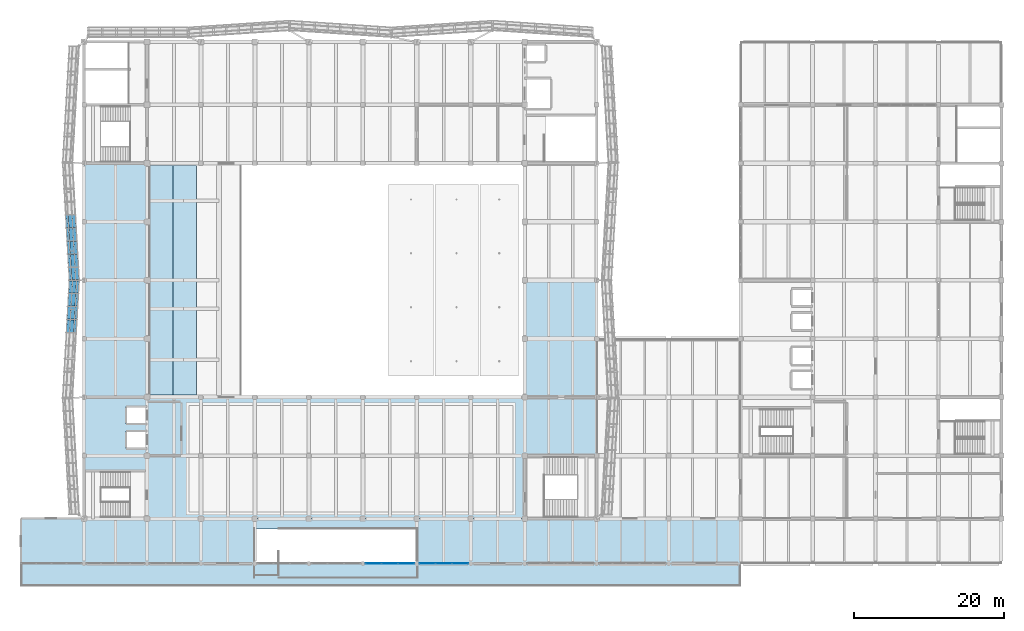
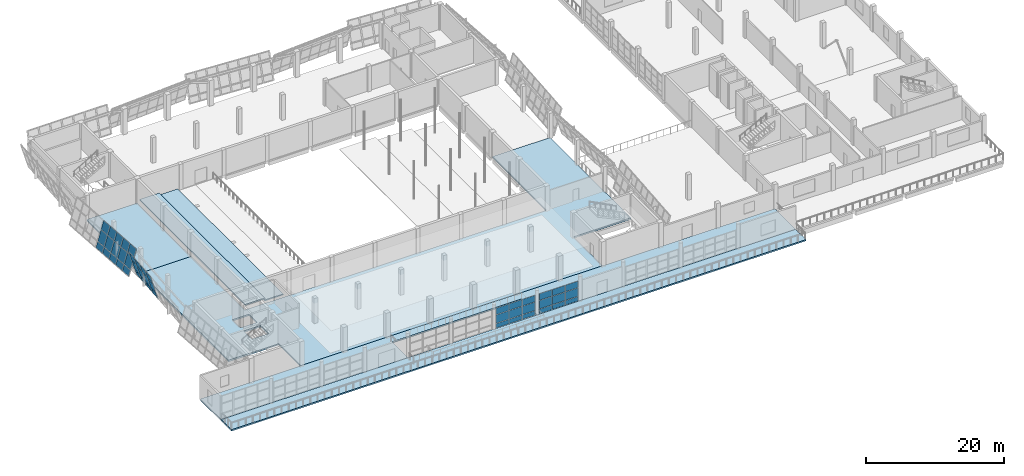
# One storey, part 39 of 71: 45 plates, 6 slabs, 4 elements without a shape of their own.
"""IFC4 building model written with IfcOpenShell, lengths in metres."""

from ifc_helpers import new_model, si_unit, direction, frame, origin, place, context, subcontext, project, spatial, polyline, outline, extrude, material, layer, layer_set, type_object, element, aggregate, save


model = new_model("IFC4")

# Units and contexts
model_context = context("Model", 3, precision=1e-05, world=origin(), true_north=direction((0.0, 1.0)))
body_context = subcontext(model_context, "Body", "Model", "MODEL_VIEW")
ifc_project = project(units=[si_unit("LENGTHUNIT", "METRE"), si_unit("AREAUNIT", "SQUARE_METRE"), si_unit("VOLUMEUNIT", "CUBIC_METRE"), si_unit("PLANEANGLEUNIT", "RADIAN"), si_unit("MASSUNIT", "GRAM", prefix="KILO")], contexts=[model_context])

# Site, building, storey
site_placement = place(None, origin())
site = spatial("IfcSite", under=ifc_project, at=site_placement, CompositionType="ELEMENT")
building_placement = place(site_placement, origin())
building = spatial("IfcBuilding", under=site, at=building_placement, Name="Pellamere Symphony Hall", CompositionType="ELEMENT")
storey_placement = place(building_placement, frame((0.0, 0.0, 15.0)))
storey = spatial("IfcBuildingStorey", under=building, at=storey_placement, Name="L03", CompositionType="ELEMENT", Elevation=15.0)

# Curtain wall, plates
ifc_material_1 = material(Name="Thermally Broken Anodised Aluminium 6063-T6 Curtain Wall", Category="aluminium")
curtain_wall_type_1 = type_object("IfcCurtainWallType", Name="Curtain Wall CW-02 (Winter-Garden South Concourse Curtain Wall)", PredefinedType="NOTDEFINED", material=ifc_material_1)
curtain_wall_1_placement = place(storey_placement, origin())
curtain_wall_1 = element("IfcCurtainWall", 1, at=curtain_wall_1_placement, inside=storey, type_object=curtain_wall_type_1, Name="Winter-Garden South Curtain Wall (L03 Bay 7)", PredefinedType="NOTDEFINED")
ifc_material_2 = material(Name="Triple Low-E Argon Acoustic Glazing 36mm", Category="glass")
ifc_layer_1 = layer(ifc_material_2, 0.035888671875, Name="Triple Low-E Argon Acoustic Glazing 36mm")
ifc_layer_set_1 = layer_set([ifc_layer_1], Name="Triple Low-E Argon Acoustic Glazing 36mm")
plate_type_1 = type_object("IfcPlateType", Name="Facade Panel GL-01 36mm", PredefinedType="CURTAIN_PANEL", material=ifc_layer_set_1)
plate_1_placement = place(storey_placement, frame((87.965087890625, 24.0, 0.06494140625), z_axis=(0.0, -1.0, 0.0), x_axis=(1.0, 0.0, 0.0)))
plate_1 = element("IfcPlate", 2, at=plate_1_placement, type_object=plate_type_1, Name="CW2-091 crystal glass panel 1.1", PredefinedType="CURTAIN_PANEL", context=body_context, shape_type="SweptSolid", body=[
    extrude(outline(polyline([(0.0, 0.0), (2.102294921875, 0.0), (2.102294921875, 0.776123046875), (0.0, 0.776123046875), (0.0, 0.0)])), origin(), (0.0, 0.0, -1.0), 0.035888671875),
])
plate_2_placement = place(storey_placement, frame((87.965087890625, 24.0, 0.906005859375), z_axis=(0.0, -1.0, 0.0), x_axis=(1.0, 0.0, 0.0)))
plate_2 = element("IfcPlate", 3, at=plate_2_placement, type_object=plate_type_1, Name="CW2-091 crystal glass panel 1.2", PredefinedType="CURTAIN_PANEL", context=body_context, shape_type="SweptSolid", body=[
    extrude(outline(polyline([(0.0, 0.0), (2.102294921875, 0.0), (2.102294921875, 1.4638671875), (0.0, 1.4638671875), (0.0, 0.0)])), origin(), (0.0, 0.0, -1.0), 0.035888671875),
])
plate_3_placement = place(storey_placement, frame((87.965087890625, 24.0, 2.434814453125), z_axis=(0.0, -1.0, 0.0), x_axis=(1.0, 0.0, 0.0)))
plate_3 = element("IfcPlate", 4, at=plate_3_placement, type_object=plate_type_1, Name="CW2-091 crystal glass panel 1.3", PredefinedType="CURTAIN_PANEL", context=body_context, shape_type="SweptSolid", body=[
    extrude(outline(polyline([(0.0, 0.0), (2.102294921875, 0.0), (2.102294921875, 1.14013671875), (0.0, 1.14013671875), (0.0, 0.0)])), origin(), (0.0, 0.0, -1.0), 0.035888671875),
])
plate_4_placement = place(storey_placement, frame((90.132568359375, 24.0, 0.06494140625), z_axis=(0.0, -1.0, 0.0), x_axis=(1.0, 0.0, 0.0)))
plate_4 = element("IfcPlate", 5, at=plate_4_placement, type_object=plate_type_1, Name="CW2-091 crystal glass panel 2.1", PredefinedType="CURTAIN_PANEL", context=body_context, shape_type="SweptSolid", body=[
    extrude(outline(polyline([(0.0, 0.0), (2.135009765625, 0.0), (2.135009765625, 0.776123046875), (0.0, 0.776123046875), (0.0, 0.0)])), origin(), (0.0, 0.0, -1.0), 0.035888671875),
])
plate_5_placement = place(storey_placement, frame((90.132568359375, 24.0, 0.906005859375), z_axis=(0.0, -1.0, 0.0), x_axis=(1.0, 0.0, 0.0)))
plate_5 = element("IfcPlate", 6, at=plate_5_placement, type_object=plate_type_1, Name="CW2-091 crystal glass panel 2.2", PredefinedType="CURTAIN_PANEL", context=body_context, shape_type="SweptSolid", body=[
    extrude(outline(polyline([(0.0, 0.0), (2.135009765625, 0.0), (2.135009765625, 1.4638671875), (0.0, 1.4638671875), (0.0, 0.0)])), origin(), (0.0, 0.0, -1.0), 0.035888671875),
])
plate_6_placement = place(storey_placement, frame((90.132568359375, 24.0, 2.434814453125), z_axis=(0.0, -1.0, 0.0), x_axis=(1.0, 0.0, 0.0)))
plate_6 = element("IfcPlate", 7, at=plate_6_placement, type_object=plate_type_1, Name="CW2-091 crystal glass panel 2.3", PredefinedType="CURTAIN_PANEL", context=body_context, shape_type="SweptSolid", body=[
    extrude(outline(polyline([(0.0, 0.0), (2.135009765625, 0.0), (2.135009765625, 1.14013671875), (0.0, 1.14013671875), (0.0, 0.0)])), origin(), (0.0, 0.0, -1.0), 0.035888671875),
])
plate_7_placement = place(storey_placement, frame((92.33251953125, 24.0, 0.06494140625), z_axis=(0.0, -1.0, 0.0), x_axis=(1.0, 0.0, 0.0)))
plate_7 = element("IfcPlate", 8, at=plate_7_placement, type_object=plate_type_1, Name="CW2-091 crystal glass panel 3.1", PredefinedType="CURTAIN_PANEL", context=body_context, shape_type="SweptSolid", body=[
    extrude(outline(polyline([(0.0, 0.0), (2.1025390625, 0.0), (2.1025390625, 0.776123046875), (0.0, 0.776123046875), (0.0, 0.0)])), origin(), (0.0, 0.0, -1.0), 0.035888671875),
])
plate_8_placement = place(storey_placement, frame((92.33251953125, 24.0, 0.906005859375), z_axis=(0.0, -1.0, 0.0), x_axis=(1.0, 0.0, 0.0)))
plate_8 = element("IfcPlate", 9, at=plate_8_placement, type_object=plate_type_1, Name="CW2-091 crystal glass panel 3.2", PredefinedType="CURTAIN_PANEL", context=body_context, shape_type="SweptSolid", body=[
    extrude(outline(polyline([(0.0, 0.0), (2.1025390625, 0.0), (2.1025390625, 1.4638671875), (0.0, 1.4638671875), (0.0, 0.0)])), origin(), (0.0, 0.0, -1.0), 0.035888671875),
])
plate_9_placement = place(storey_placement, frame((92.33251953125, 24.0, 2.434814453125), z_axis=(0.0, -1.0, 0.0), x_axis=(1.0, 0.0, 0.0)))
plate_9 = element("IfcPlate", 10, at=plate_9_placement, type_object=plate_type_1, Name="CW2-091 crystal glass panel 3.3", PredefinedType="CURTAIN_PANEL", context=body_context, shape_type="SweptSolid", body=[
    extrude(outline(polyline([(0.0, 0.0), (2.1025390625, 0.0), (2.1025390625, 1.14013671875), (0.0, 1.14013671875), (0.0, 0.0)])), origin(), (0.0, 0.0, -1.0), 0.035888671875),
])
aggregate(curtain_wall_1, [plate_1, plate_2, plate_3, plate_4, plate_5, plate_6, plate_7, plate_8, plate_9])

curtain_wall_2_placement = place(storey_placement, origin())
curtain_wall_2 = element("IfcCurtainWall", 11, at=curtain_wall_2_placement, inside=storey, type_object=curtain_wall_type_1, Name="Winter-Garden South Curtain Wall (L03 Bay 8)", PredefinedType="NOTDEFINED")
plate_10_placement = place(storey_placement, frame((95.1650390625, 24.0, 0.06494140625), z_axis=(0.0, -1.0, 0.0), x_axis=(1.0, 0.0, 0.0)))
plate_10 = element("IfcPlate", 12, at=plate_10_placement, type_object=plate_type_1, Name="CW2-092 crystal glass panel 1.1", PredefinedType="CURTAIN_PANEL", context=body_context, shape_type="SweptSolid", body=[
    extrude(outline(polyline([(0.0, 0.0), (2.1025390625, 0.0), (2.1025390625, 0.776123046875), (0.0, 0.776123046875), (0.0, 0.0)])), origin(), (0.0, 0.0, -1.0), 0.035888671875),
])
plate_11_placement = place(storey_placement, frame((95.1650390625, 24.0, 0.906005859375), z_axis=(0.0, -1.0, 0.0), x_axis=(1.0, 0.0, 0.0)))
plate_11 = element("IfcPlate", 13, at=plate_11_placement, type_object=plate_type_1, Name="CW2-092 crystal glass panel 1.2", PredefinedType="CURTAIN_PANEL", context=body_context, shape_type="SweptSolid", body=[
    extrude(outline(polyline([(0.0, 0.0), (2.1025390625, 0.0), (2.1025390625, 1.4638671875), (0.0, 1.4638671875), (0.0, 0.0)])), origin(), (0.0, 0.0, -1.0), 0.035888671875),
])
plate_12_placement = place(storey_placement, frame((95.1650390625, 24.0, 2.434814453125), z_axis=(0.0, -1.0, 0.0), x_axis=(1.0, 0.0, 0.0)))
plate_12 = element("IfcPlate", 14, at=plate_12_placement, type_object=plate_type_1, Name="CW2-092 crystal glass panel 1.3", PredefinedType="CURTAIN_PANEL", context=body_context, shape_type="SweptSolid", body=[
    extrude(outline(polyline([(0.0, 0.0), (2.1025390625, 0.0), (2.1025390625, 1.14013671875), (0.0, 1.14013671875), (0.0, 0.0)])), origin(), (0.0, 0.0, -1.0), 0.035888671875),
])
plate_13_placement = place(storey_placement, frame((97.33251953125, 24.0, 0.06494140625), z_axis=(0.0, -1.0, 0.0), x_axis=(1.0, 0.0, 0.0)))
plate_13 = element("IfcPlate", 15, at=plate_13_placement, type_object=plate_type_1, Name="CW2-092 crystal glass panel 2.1", PredefinedType="CURTAIN_PANEL", context=body_context, shape_type="SweptSolid", body=[
    extrude(outline(polyline([(0.0, 0.0), (2.135009765625, 0.0), (2.135009765625, 0.776123046875), (0.0, 0.776123046875), (0.0, 0.0)])), origin(), (0.0, 0.0, -1.0), 0.035888671875),
])
plate_14_placement = place(storey_placement, frame((97.33251953125, 24.0, 0.906005859375), z_axis=(0.0, -1.0, 0.0), x_axis=(1.0, 0.0, 0.0)))
plate_14 = element("IfcPlate", 16, at=plate_14_placement, type_object=plate_type_1, Name="CW2-092 crystal glass panel 2.2", PredefinedType="CURTAIN_PANEL", context=body_context, shape_type="SweptSolid", body=[
    extrude(outline(polyline([(0.0, 0.0), (2.135009765625, 0.0), (2.135009765625, 1.4638671875), (0.0, 1.4638671875), (0.0, 0.0)])), origin(), (0.0, 0.0, -1.0), 0.035888671875),
])
plate_15_placement = place(storey_placement, frame((97.33251953125, 24.0, 2.434814453125), z_axis=(0.0, -1.0, 0.0), x_axis=(1.0, 0.0, 0.0)))
plate_15 = element("IfcPlate", 17, at=plate_15_placement, type_object=plate_type_1, Name="CW2-092 crystal glass panel 2.3", PredefinedType="CURTAIN_PANEL", context=body_context, shape_type="SweptSolid", body=[
    extrude(outline(polyline([(0.0, 0.0), (2.135009765625, 0.0), (2.135009765625, 1.14013671875), (0.0, 1.14013671875), (0.0, 0.0)])), origin(), (0.0, 0.0, -1.0), 0.035888671875),
])
plate_16_placement = place(storey_placement, frame((99.532470703125, 24.0, 0.06494140625), z_axis=(0.0, -1.0, 0.0), x_axis=(1.0, 0.0, 0.0)))
plate_16 = element("IfcPlate", 18, at=plate_16_placement, type_object=plate_type_1, Name="CW2-092 crystal glass panel 3.1", PredefinedType="CURTAIN_PANEL", context=body_context, shape_type="SweptSolid", body=[
    extrude(outline(polyline([(0.0, 0.0), (2.1025390625, 0.0), (2.1025390625, 0.776123046875), (0.0, 0.776123046875), (0.0, 0.0)])), origin(), (0.0, 0.0, -1.0), 0.035888671875),
])
plate_17_placement = place(storey_placement, frame((99.532470703125, 24.0, 0.906005859375), z_axis=(0.0, -1.0, 0.0), x_axis=(1.0, 0.0, 0.0)))
plate_17 = element("IfcPlate", 19, at=plate_17_placement, type_object=plate_type_1, Name="CW2-092 crystal glass panel 3.2", PredefinedType="CURTAIN_PANEL", context=body_context, shape_type="SweptSolid", body=[
    extrude(outline(polyline([(0.0, 0.0), (2.1025390625, 0.0), (2.1025390625, 1.4638671875), (0.0, 1.4638671875), (0.0, 0.0)])), origin(), (0.0, 0.0, -1.0), 0.035888671875),
])
plate_18_placement = place(storey_placement, frame((99.532470703125, 24.0, 2.434814453125), z_axis=(0.0, -1.0, 0.0), x_axis=(1.0, 0.0, 0.0)))
plate_18 = element("IfcPlate", 20, at=plate_18_placement, type_object=plate_type_1, Name="CW2-092 crystal glass panel 3.3", PredefinedType="CURTAIN_PANEL", context=body_context, shape_type="SweptSolid", body=[
    extrude(outline(polyline([(0.0, 0.0), (2.1025390625, 0.0), (2.1025390625, 1.14013671875), (0.0, 1.14013671875), (0.0, 0.0)])), origin(), (0.0, 0.0, -1.0), 0.035888671875),
])
aggregate(curtain_wall_2, [plate_10, plate_11, plate_12, plate_13, plate_14, plate_15, plate_16, plate_17, plate_18])

curtain_wall_type_2 = type_object("IfcCurtainWallType", Name="Curtain Wall CW-01 (Tilted Faceted Crystal Low-Iron Curtain Wall)", PredefinedType="NOTDEFINED", material=ifc_material_1)
curtain_wall_3_placement = place(storey_placement, origin())
curtain_wall_3 = element("IfcCurtainWall", 21, at=curtain_wall_3_placement, inside=storey, type_object=curtain_wall_type_2, Name="Crystal Faceted Curtain Wall CW-CR17 (L03)", PredefinedType="NOTDEFINED")
ifc_material_3 = material(Name="Triple Laminated Acoustic Crystal Glazing 42mm", Category="glass")
ifc_layer_2 = layer(ifc_material_3, 0.0419921875, Name="Triple Laminated Acoustic Crystal Glazing 42mm")
ifc_layer_set_2 = layer_set([ifc_layer_2], Name="Triple Laminated Acoustic Crystal Glazing 42mm")
plate_type_2 = type_object("IfcPlateType", Name="Facade Panel GL-02 42mm", PredefinedType="CURTAIN_PANEL", material=ifc_layer_set_2)
plate_19_placement = place(storey_placement, frame((49.724365234375, 61.72509765625, 0.072021484375), z_axis=(0.957354651322, -0.054920794133, 0.283647277376), x_axis=(-0.057267086561, -0.998358893578, -2.0277222e-05)))
plate_19 = element("IfcPlate", 22, at=plate_19_placement, type_object=plate_type_2, Name="CW1-050 crystal glass panel 1.1", PredefinedType="CURTAIN_PANEL", context=body_context, shape_type="SweptSolid", body=[
    extrude(outline(polyline([(0.0, 0.0), (1.634756469169837, 3.469446951953614e-18), (1.6512346035740397, -1.0135866477473128), (0.016464153181897846, -1.0135175112981798), (0.0, 0.0)])), origin(), (0.0, 0.0, -1.0), 0.0419921875),
])
plate_20_placement = place(storey_placement, frame((49.4150390625, 61.72509765625, 1.115966796875), z_axis=(0.957372886168, -0.054850234166, 0.283599380541), x_axis=(-0.057198647566, -0.998362817175, 0.0)))
plate_20 = element("IfcPlate", 23, at=plate_20_placement, type_object=plate_type_2, Name="CW1-050 crystal glass panel 1.2", PredefinedType="CURTAIN_PANEL", context=body_context, shape_type="SweptSolid", body=[
    extrude(outline(polyline([(0.0, 0.0), (1.6347564733470132, 0.0), (1.665562190273358, -1.8959578588073336), (0.03080571692634491, -1.8959578588073336), (0.0, 0.0)])), origin(), (0.0, 0.0, -1.0), 0.0419921875),
])
plate_21_placement = place(storey_placement, frame((48.855224609375, 61.72509765625, 3.005859375), z_axis=(0.957370031361, -0.054921676444, 0.283595191264), x_axis=(-0.05726708876, -0.998358893452, -2.0273825e-05)))
plate_21 = element("IfcPlate", 24, at=plate_21_placement, type_object=plate_type_2, Name="CW1-050 crystal glass panel 1.3", PredefinedType="CURTAIN_PANEL", context=body_context, shape_type="SweptSolid", body=[
    extrude(outline(polyline([(0.0, 0.0), (1.634756469169703, 0.0), (1.6588592280006327, -1.4830403434262498), (0.024088777608087905, -1.482971219672634), (0.0, 0.0)])), origin(), (0.0, 0.0, -1.0), 0.0419921875),
])
plate_22_placement = place(storey_placement, frame((49.62646484375, 60.01806640625, 0.072021484375), z_axis=(0.957389337449, -0.054883974887, 0.283537309433), x_axis=(-0.057232737422, -0.998360863499, 0.0)))
plate_22 = element("IfcPlate", 25, at=plate_22_placement, type_object=plate_type_2, Name="CW1-050 crystal glass panel 2.1", PredefinedType="CURTAIN_PANEL", context=body_context, shape_type="SweptSolid", body=[
    extrude(outline(polyline([(0.0, 0.0), (1.6721745160346768, -3.469446951953614e-18), (1.688648490014305, -1.01351735845357), (0.016473973979628256, -1.01351735845357), (0.0, 0.0)])), origin(), (0.0, 0.0, -1.0), 0.0419921875),
])
plate_23_placement = place(storey_placement, frame((49.3173828125, 60.01806640625, 1.115966796875), z_axis=(0.957371163384, -0.054882933028, 0.283598870206), x_axis=(-0.057232737422, -0.998360863499, 0.0)))
plate_23 = element("IfcPlate", 26, at=plate_23_placement, type_object=plate_type_2, Name="CW1-050 crystal glass panel 2.2", PredefinedType="CURTAIN_PANEL", context=body_context, shape_type="SweptSolid", body=[
    extrude(outline(polyline([(0.0, 0.0), (1.6721745160346768, -3.469446951953614e-18), (1.7029985928786633, -1.8959575604045968), (0.030824076843986373, -1.895957560404597), (0.0, 0.0)])), origin(), (0.0, 0.0, -1.0), 0.0419921875),
])
plate_24_placement = place(storey_placement, frame((48.75732421875, 60.01806640625, 3.005859375), z_axis=(0.957394380588, -0.054884263994, 0.283520224294), x_axis=(-0.057232737422, -0.998360863499, 0.0)))
plate_24 = element("IfcPlate", 27, at=plate_24_placement, type_object=plate_type_2, Name="CW1-050 crystal glass panel 2.3", PredefinedType="CURTAIN_PANEL", context=body_context, shape_type="SweptSolid", body=[
    extrude(outline(polyline([(0.0, 0.0), (1.6721745160346768, -3.469446951953614e-18), (1.696277658625736, -1.482970990869004), (0.02410314259105915, -1.482970990869004), (0.0, 0.0)])), origin(), (0.0, 0.0, -1.0), 0.0419921875),
])
plate_25_placement = place(storey_placement, frame((49.526611328125, 58.273681640625, 0.072021484375), z_axis=(0.957324455748, -0.054872230831, 0.283758567642), x_axis=(-0.057224396245, -0.998361341637, 0.0)))
plate_25 = element("IfcPlate", 28, at=plate_25_placement, type_object=plate_type_2, Name="CW1-050 crystal glass panel 3.1", PredefinedType="CURTAIN_PANEL", context=body_context, shape_type="SweptSolid", body=[
    extrude(outline(polyline([(0.0, 0.0), (1.6724182565382377, 0.0), (1.6889038003784336, -1.0135865340002803), (0.016485543840195648, -1.0135865340002805), (0.0, 0.0)])), origin(), (0.0, 0.0, -1.0), 0.0419921875),
])
plate_26_placement = place(storey_placement, frame((49.21728515625, 58.273681640625, 1.115966796875), z_axis=(0.957371585014, -0.054874932201, 0.283598995104), x_axis=(-0.057224396245, -0.998361341637, 0.0)))
plate_26 = element("IfcPlate", 29, at=plate_26_placement, type_object=plate_type_2, Name="CW1-050 crystal glass panel 3.2", PredefinedType="CURTAIN_PANEL", context=body_context, shape_type="SweptSolid", body=[
    extrude(outline(polyline([(0.0, 0.0), (1.6724182565382377, -3.469446951953614e-18), (1.703237841039485, -1.895957633434831), (0.030819584501247117, -1.895957633434831), (0.0, 0.0)])), origin(), (0.0, 0.0, -1.0), 0.0419921875),
])
plate_27_placement = place(storey_placement, frame((48.657470703125, 58.273681640625, 3.005859375), z_axis=(0.957350178511, -0.054873705217, 0.283671486371), x_axis=(-0.057224396245, -0.998361341637, 0.0)))
plate_27 = element("IfcPlate", 30, at=plate_27_placement, type_object=plate_type_2, Name="CW1-050 crystal glass panel 3.3", PredefinedType="CURTAIN_PANEL", context=body_context, shape_type="SweptSolid", body=[
    extrude(outline(polyline([(0.0, 0.0), (1.6724182565382377, -3.469446951953614e-18), (1.69653185710449, -1.48304017178855), (0.024113600566252277, -1.48304017178855), (0.0, 0.0)])), origin(), (0.0, 0.0, -1.0), 0.0419921875),
])
plate_28_placement = place(storey_placement, frame((49.426513671875, 56.529296875, 0.072021484375), z_axis=(0.957389759102, -0.05487597391, 0.283537434308), x_axis=(-0.057224396245, -0.998361341637, 0.0)))
plate_28 = element("IfcPlate", 31, at=plate_28_placement, type_object=plate_type_2, Name="CW1-050 crystal glass panel 4.1", PredefinedType="CURTAIN_PANEL", context=body_context, shape_type="SweptSolid", body=[
    extrude(outline(polyline([(0.0, 0.0), (1.6724182565382377, 0.0), (1.6888898295785688, -1.0135173974762153), (0.016471573040331075, -1.0135173974762153), (0.0, 0.0)])), origin(), (0.0, 0.0, -1.0), 0.0419921875),
])
plate_29_placement = place(storey_placement, frame((49.1171875, 56.529296875, 1.115966796875), z_axis=(0.957371585014, -0.054874932201, 0.283598995104), x_axis=(-0.057224396245, -0.998361341637, 0.0)))
plate_29 = element("IfcPlate", 32, at=plate_29_placement, type_object=plate_type_2, Name="CW1-050 crystal glass panel 4.2", PredefinedType="CURTAIN_PANEL", context=body_context, shape_type="SweptSolid", body=[
    extrude(outline(polyline([(0.0, 0.0), (1.6724182565382377, -3.469446951953614e-18), (1.703237841039485, -1.895957633434831), (0.030819584501247117, -1.895957633434831), (0.0, 0.0)])), origin(), (0.0, 0.0, -1.0), 0.0419921875),
])
plate_30_placement = place(storey_placement, frame((48.557373046875, 56.529296875, 3.005859375), z_axis=(0.957394802248, -0.054876262974, 0.283520349164), x_axis=(-0.057224396245, -0.998361341637, 0.0)))
plate_30 = element("IfcPlate", 33, at=plate_30_placement, type_object=plate_type_2, Name="CW1-050 crystal glass panel 4.3", PredefinedType="CURTAIN_PANEL", context=body_context, shape_type="SweptSolid", body=[
    extrude(outline(polyline([(0.0, 0.0), (1.6724182565382377, 3.469446951953614e-18), (1.6965178863046255, -1.482971047959765), (0.024099629766387704, -1.482971047959765), (0.0, 0.0)])), origin(), (0.0, 0.0, -1.0), 0.0419921875),
])
aggregate(curtain_wall_3, [plate_19, plate_20, plate_21, plate_22, plate_23, plate_24, plate_25, plate_26, plate_27, plate_28, plate_29, plate_30])

curtain_wall_4_placement = place(storey_placement, origin())
curtain_wall_4 = element("IfcCurtainWall", 34, at=curtain_wall_4_placement, inside=storey, type_object=curtain_wall_type_2, Name="Crystal Faceted Curtain Wall CW-CR16 (L03)", PredefinedType="NOTDEFINED")
ifc_material_4 = material(Name="Vacuum-Insulated Bronze-Anodised Aluminium Spandrel Panel", Category="aluminium")
ifc_layer_3 = layer(ifc_material_4, 0.06494140625, Name="Vacuum-Insulated Bronze-Anodised Aluminium Spandrel Panel")
ifc_layer_set_3 = layer_set([ifc_layer_3], Name="Vacuum-Insulated Bronze-Anodised Aluminium Spandrel Panel")
plate_type_3 = type_object("IfcPlateType", Name="Facade Panel SP-01 65mm", PredefinedType="CURTAIN_PANEL", material=ifc_layer_set_3)
plate_31_placement = place(storey_placement, frame((47.9404296875, 70.48486328125, 0.072021484375), z_axis=(-0.957324455748, -0.054872230831, 0.283758567642), x_axis=(0.057224396245, -0.998361341637, 0.0)))
plate_31 = element("IfcPlate", 35, at=plate_31_placement, type_object=plate_type_3, Name="CW1-045 crystal glass panel 5.1", PredefinedType="CURTAIN_PANEL", context=body_context, shape_type="SweptSolid", body=[
    extrude(outline(polyline([(0.0, 0.0), (1.6724182565382377, 0.0), (1.6889038003784336, 1.0135865340002803), (0.016485543840195648, 1.0135865340002805), (0.0, 0.0)])), origin(), (0.0, 0.0, -1.0), 0.06494140625),
])
plate_32_placement = place(storey_placement, frame((48.249755859375, 70.48486328125, 1.115966796875), z_axis=(-0.957371585014, -0.054874932201, 0.283598995104), x_axis=(0.057224396245, -0.998361341637, 0.0)))
plate_32 = element("IfcPlate", 36, at=plate_32_placement, type_object=plate_type_3, Name="CW1-045 crystal glass panel 5.2", PredefinedType="CURTAIN_PANEL", context=body_context, shape_type="SweptSolid", body=[
    extrude(outline(polyline([(0.0, 0.0), (1.6724182565382377, 3.469446951953614e-18), (1.703237841039485, 1.895957633434831), (0.030819584501247117, 1.895957633434831), (0.0, 0.0)])), origin(), (0.0, 0.0, -1.0), 0.06494140625),
])
plate_33_placement = place(storey_placement, frame((48.8095703125, 70.48486328125, 3.005859375), z_axis=(-0.957350178511, -0.054873705217, 0.283671486371), x_axis=(0.057224396245, -0.998361341637, 0.0)))
plate_33 = element("IfcPlate", 37, at=plate_33_placement, type_object=plate_type_3, Name="CW1-045 crystal glass panel 5.3", PredefinedType="CURTAIN_PANEL", context=body_context, shape_type="SweptSolid", body=[
    extrude(outline(polyline([(0.0, 0.0), (1.6724182565382377, 3.469446951953614e-18), (1.69653185710449, 1.48304017178855), (0.024113600566252277, 1.48304017178855), (0.0, 0.0)])), origin(), (0.0, 0.0, -1.0), 0.06494140625),
])
plate_34_placement = place(storey_placement, frame((48.04052734375, 68.740234375, 0.072021484375), z_axis=(-0.957389337449, -0.054883974887, 0.283537309433), x_axis=(0.057232737422, -0.998360863499, 0.0)))
plate_34 = element("IfcPlate", 38, at=plate_34_placement, type_object=plate_type_3, Name="CW1-045 crystal glass panel 6.1", PredefinedType="CURTAIN_PANEL", context=body_context, shape_type="SweptSolid", body=[
    extrude(outline(polyline([(0.0, 0.0), (1.6721745160346768, 3.469446951953614e-18), (1.688648490014305, 1.01351735845357), (0.016473973979628256, 1.01351735845357), (0.0, 0.0)])), origin(), (0.0, 0.0, -1.0), 0.06494140625),
])
plate_35_placement = place(storey_placement, frame((48.349609375, 68.740234375, 1.115966796875), z_axis=(-0.957371163384, -0.054882933028, 0.283598870206), x_axis=(0.057232737422, -0.998360863499, 0.0)))
plate_35 = element("IfcPlate", 39, at=plate_35_placement, type_object=plate_type_3, Name="CW1-045 crystal glass panel 6.2", PredefinedType="CURTAIN_PANEL", context=body_context, shape_type="SweptSolid", body=[
    extrude(outline(polyline([(0.0, 0.0), (1.6721745160346768, 3.469446951953614e-18), (1.7029985928786633, 1.8959575604045968), (0.030824076843986373, 1.895957560404597), (0.0, 0.0)])), origin(), (0.0, 0.0, -1.0), 0.06494140625),
])
plate_36_placement = place(storey_placement, frame((48.90966796875, 68.740234375, 3.005859375), z_axis=(-0.957394380588, -0.054884263994, 0.283520224294), x_axis=(0.057232737422, -0.998360863499, 0.0)))
plate_36 = element("IfcPlate", 40, at=plate_36_placement, type_object=plate_type_3, Name="CW1-045 crystal glass panel 6.3", PredefinedType="CURTAIN_PANEL", context=body_context, shape_type="SweptSolid", body=[
    extrude(outline(polyline([(0.0, 0.0), (1.6721745160346768, 3.469446951953614e-18), (1.696277658625736, 1.482970990869004), (0.02410314259105915, 1.482970990869004), (0.0, 0.0)])), origin(), (0.0, 0.0, -1.0), 0.06494140625),
])
plate_37_placement = place(storey_placement, frame((48.140380859375, 66.995849609375, 0.072021484375), z_axis=(-0.957324034181, -0.054880231266, 0.283758442686), x_axis=(0.057232737422, -0.998360863499, 0.0)))
plate_37 = element("IfcPlate", 41, at=plate_37_placement, type_object=plate_type_3, Name="CW1-045 crystal glass panel 7.1", PredefinedType="CURTAIN_PANEL", context=body_context, shape_type="SweptSolid", body=[
    extrude(outline(polyline([(0.0, 0.0), (1.6721745160346768, -6.938893903907228e-18), (1.6886624628505897, 1.013586494914077), (0.01648794681591293, 1.013586494914077), (0.0, 0.0)])), origin(), (0.0, 0.0, -1.0), 0.06494140625),
])
plate_38_placement = place(storey_placement, frame((48.44970703125, 66.995849609375, 1.115966796875), z_axis=(-0.957371163384, -0.054882933028, 0.283598870206), x_axis=(0.057232737422, -0.998360863499, 0.0)))
plate_38 = element("IfcPlate", 42, at=plate_38_placement, type_object=plate_type_3, Name="CW1-045 crystal glass panel 7.2", PredefinedType="CURTAIN_PANEL", context=body_context, shape_type="SweptSolid", body=[
    extrude(outline(polyline([(0.0, 0.0), (1.6721745160346768, 3.469446951953614e-18), (1.7029985928786633, 1.8959575604045968), (0.030824076843986373, 1.895957560404597), (0.0, 0.0)])), origin(), (0.0, 0.0, -1.0), 0.06494140625),
])
plate_39_placement = place(storey_placement, frame((49.009521484375, 66.995849609375, 3.005859375), z_axis=(-0.95734975691, -0.054881705866, 0.283671361447), x_axis=(0.057232737422, -0.998360863499, 0.0)))
plate_39 = element("IfcPlate", 43, at=plate_39_placement, type_object=plate_type_3, Name="CW1-045 crystal glass panel 7.3", PredefinedType="CURTAIN_PANEL", context=body_context, shape_type="SweptSolid", body=[
    extrude(outline(polyline([(0.0, 0.0), (1.6721745160346768, -3.469446951953614e-18), (1.6962916314620207, 1.4830401146342416), (0.024117115427343825, 1.4830401146342416), (0.0, 0.0)])), origin(), (0.0, 0.0, -1.0), 0.06494140625),
])
plate_40_placement = place(storey_placement, frame((48.240478515625, 65.25146484375, 0.072021484375), z_axis=(-0.957389759102, -0.05487597391, 0.283537434308), x_axis=(0.057224396245, -0.998361341637, 0.0)))
plate_40 = element("IfcPlate", 44, at=plate_40_placement, type_object=plate_type_3, Name="CW1-045 crystal glass panel 8.1", PredefinedType="CURTAIN_PANEL", context=body_context, shape_type="SweptSolid", body=[
    extrude(outline(polyline([(0.0, 0.0), (1.6724182565382377, 0.0), (1.6888898295785688, 1.0135173974762153), (0.016471573040331075, 1.0135173974762153), (0.0, 0.0)])), origin(), (0.0, 0.0, -1.0), 0.06494140625),
])
plate_41_placement = place(storey_placement, frame((48.5498046875, 65.25146484375, 1.115966796875), z_axis=(-0.957371585014, -0.054874932201, 0.283598995104), x_axis=(0.057224396245, -0.998361341637, 0.0)))
plate_41 = element("IfcPlate", 45, at=plate_41_placement, type_object=plate_type_3, Name="CW1-045 crystal glass panel 8.2", PredefinedType="CURTAIN_PANEL", context=body_context, shape_type="SweptSolid", body=[
    extrude(outline(polyline([(0.0, 0.0), (1.6724182565382377, 3.469446951953614e-18), (1.703237841039485, 1.895957633434831), (0.030819584501247117, 1.895957633434831), (0.0, 0.0)])), origin(), (0.0, 0.0, -1.0), 0.06494140625),
])
plate_42_placement = place(storey_placement, frame((49.109619140625, 65.25146484375, 3.005859375), z_axis=(-0.957394802248, -0.054876262974, 0.283520349164), x_axis=(0.057224396245, -0.998361341637, 0.0)))
plate_42 = element("IfcPlate", 46, at=plate_42_placement, type_object=plate_type_3, Name="CW1-045 crystal glass panel 8.3", PredefinedType="CURTAIN_PANEL", context=body_context, shape_type="SweptSolid", body=[
    extrude(outline(polyline([(0.0, 0.0), (1.6724182565382377, -3.469446951953614e-18), (1.6965178863046255, 1.482971047959765), (0.024099629766387704, 1.482971047959765), (0.0, 0.0)])), origin(), (0.0, 0.0, -1.0), 0.06494140625),
])
plate_43_placement = place(storey_placement, frame((48.34033203125, 63.507080078125, 0.072021484375), z_axis=(-0.957355083187, -0.054912604607, 0.28364740533), x_axis=(0.057270523753, -0.99835869641, 2.0274044e-05)))
plate_43 = element("IfcPlate", 47, at=plate_43_placement, type_object=plate_type_3, Name="CW1-045 crystal glass panel 9.1", PredefinedType="CURTAIN_PANEL", context=body_context, shape_type="SweptSolid", body=[
    extrude(outline(polyline([(0.0, 0.0), (1.6350141907520115, 6.938893903907228e-18), (1.6515187460439522, 1.0135168541778947), (0.016518537353403733, 1.0135859901008746), (0.0, 0.0)])), origin(), (0.0, 0.0, -1.0), 0.06494140625),
])
plate_44_placement = place(storey_placement, frame((48.649658203125, 63.507080078125, 1.115966796875), z_axis=(-0.957373316932, -0.054842055098, 0.283599508144), x_axis=(0.057190120561, -0.998363305671, 0.0)))
plate_44 = element("IfcPlate", 48, at=plate_44_placement, type_object=plate_type_3, Name="CW1-045 crystal glass panel 9.2", PredefinedType="CURTAIN_PANEL", context=body_context, shape_type="SweptSolid", body=[
    extrude(outline(polyline([(0.0, 0.0), (1.6350002143288105, -3.469446951953614e-18), (1.6658013388302597, 1.8959579334199588), (0.030801124501449315, 1.8959579334199588), (0.0, 0.0)])), origin(), (0.0, 0.0, -1.0), 0.06494140625),
])
plate_45_placement = place(storey_placement, frame((49.20947265625, 63.507080078125, 3.005859375), z_axis=(-0.957370463247, -0.054913486787, 0.283595319199), x_axis=(0.057270521555, -0.998358696536, 2.0270647e-05)))
plate_45 = element("IfcPlate", 49, at=plate_45_placement, type_object=plate_type_3, Name="CW1-045 crystal glass panel 9.3", PredefinedType="CURTAIN_PANEL", context=body_context, shape_type="SweptSolid", body=[
    extrude(outline(polyline([(0.0, 0.0), (1.6350141907518774, 6.938893903907228e-18), (1.6591620731252066, 1.4829702584208702), (0.024161864434255585, 1.4830393816484306), (0.0, 0.0)])), origin(), (0.0, 0.0, -1.0), 0.06494140625),
])
aggregate(curtain_wall_4, [plate_31, plate_32, plate_33, plate_34, plate_35, plate_36, plate_37, plate_38, plate_39, plate_40, plate_41, plate_42, plate_43, plate_44, plate_45])

# Slabs
ifc_material_5 = material(Name="Concrete 40 MPa", Category="concrete")
ifc_layer_4 = layer(ifc_material_5, 0.280029296875, Name="Concrete 40 MPa")
ifc_layer_set_4 = layer_set([ifc_layer_4], Name="Concrete 40 MPa")
slab_type_1 = type_object("IfcSlabType", Name="Structural Slab FS-03 280mm", PredefinedType="FLOOR", material=ifc_layer_set_4)
slab_1_placement = place(storey_placement, frame((0.0, 0.0, -0.280029296875)))
element("IfcSlab", 50, at=slab_1_placement, inside=storey, type_object=slab_type_1, Name="Floor Slab L03-V1S-1", PredefinedType="FLOOR", context=body_context, shape_type="SweptSolid", body=[
    extrude(outline(polyline([(58.800048828125, 61.800048828125), (58.800048828125, 46.199951171875), (109.199951171875, 46.199951171875), (109.199951171875, 61.800048828125), (118.800048828125, 61.800048828125), (118.800048828125, 38.39990234375), (109.199951171875, 38.39990234375), (109.199951171875, 30.0), (58.800048828125, 30.0), (58.800048828125, 36.39990234375), (50.39990234375, 36.39990234375), (50.39990234375, 61.800048828125), (58.800048828125, 61.800048828125)]), holes=[polyline([(58.800048828125, 41.675048828125), (56.0, 41.675048828125), (56.0, 39.324951171875), (58.800048828125, 39.324951171875), (58.800048828125, 41.675048828125)]), polyline([(58.800048828125, 44.97509765625), (56.0, 44.97509765625), (56.0, 42.625), (58.800048828125, 42.625), (58.800048828125, 44.97509765625)])]), origin(), (0.0, 0.0, 1.0), 0.280029296875),
])
slab_2_placement = place(storey_placement, frame((0.0, 0.0, -0.280029296875)))
element("IfcSlab", 51, at=slab_2_placement, inside=storey, type_object=slab_type_1, Name="Floor Slab L03-V1N-2", PredefinedType="FLOOR", context=body_context, shape_type="SweptSolid", body=[
    extrude(outline(polyline([(58.800048828125, 61.800048828125), (50.39990234375, 61.800048828125), (50.39990234375, 77.39990234375), (58.800048828125, 77.39990234375), (58.800048828125, 61.800048828125)])), origin(), (0.0, 0.0, 1.0), 0.280029296875),
])
ifc_layer_5 = layer(ifc_material_5, 0.260009765625, Name="Concrete 40 MPa")
ifc_layer_set_5 = layer_set([ifc_layer_5], Name="Concrete 40 MPa")
slab_type_2 = type_object("IfcSlabType", Name="Structural Slab FS-04 260mm", PredefinedType="FLOOR", material=ifc_layer_set_5)
slab_3_placement = place(storey_placement, frame((0.0, 0.0, -0.260009765625)))
element("IfcSlab", 52, at=slab_3_placement, inside=storey, type_object=slab_type_2, Name="Floor Slab L03-V4-1", PredefinedType="FLOOR", context=body_context, shape_type="SweptSolid", body=[
    extrude(outline(polyline([(138.0, 30.0), (138.0, 24.0), (94.800048828125, 24.0), (94.800048828125, 28.60009765625), (73.199951171875, 28.60009765625), (73.199951171875, 24.0), (42.0, 24.0), (42.0, 30.0), (50.39990234375, 30.0), (58.800048828125, 30.0), (109.199951171875, 30.0), (118.800048828125, 30.0), (138.0, 30.0)])), origin(), (0.0, 0.0, 1.0), 0.260009765625),
])
ifc_material_6 = material(Name="Precast concrete 40 MPa", Category="concrete")
ifc_layer_6 = layer(ifc_material_6, 0.199951171875, Name="Precast concrete 40 MPa")
ifc_layer_set_6 = layer_set([ifc_layer_6], Name="Precast concrete 40 MPa")
slab_type_3 = type_object("IfcSlabType", Name="Structural Slab ST-T2 200mm", PredefinedType="USERDEFINED", material=ifc_layer_set_6)
slab_4_placement = place(storey_placement, frame((0.0, 0.0, 0.14990234375)))
element("IfcSlab", 53, at=slab_4_placement, inside=storey, type_object=slab_type_3, Name="Stand Choir and Acoustic Gallery Bay 2", ObjectType="SEATING TIER", PredefinedType="USERDEFINED", context=body_context, shape_type="SweptSolid", body=[
    extrude(outline(polyline([(62.300048828125, 46.5), (62.300048828125, 77.10009765625), (65.39990234375, 77.10009765625), (65.39990234375, 46.5), (62.300048828125, 46.5)])), origin(), (0.0, 0.0, 1.0), 0.2001953125),
])
slab_5_placement = place(storey_placement, frame((0.0, 0.0, 0.5)))
element("IfcSlab", 54, at=slab_5_placement, inside=storey, type_object=slab_type_3, Name="Stand Choir and Acoustic Gallery Bay 3", ObjectType="SEATING TIER", PredefinedType="USERDEFINED", context=body_context, shape_type="SweptSolid", body=[
    extrude(outline(polyline([(59.050048828125, 46.5), (59.050048828125, 77.10009765625), (62.300048828125, 77.10009765625), (62.300048828125, 46.5), (59.050048828125, 46.5)])), origin(), (0.0, 0.0, 1.0), 0.199951171875),
])
ifc_layer_7 = layer(ifc_material_5, 0.25, Name="Concrete 40 MPa")
ifc_layer_set_7 = layer_set([ifc_layer_7], Name="Concrete 40 MPa")
slab_type_4 = type_object("IfcSlabType", Name="Structural Slab TS-02 250mm", PredefinedType="ROOF", material=ifc_layer_set_7)
slab_6_placement = place(storey_placement, frame((0.0, 0.0, -0.25)))
element("IfcSlab", 55, at=slab_6_placement, inside=storey, type_object=slab_type_4, Name="Winter-Garden Roof Terrace Step 2 1", PredefinedType="ROOF", context=body_context, shape_type="SweptSolid", body=[
    extrude(outline(polyline([(42.0, 21.0), (42.0, 24.0), (138.0, 24.0), (138.0, 21.0), (42.0, 21.0)])), origin(), (0.0, 0.0, 1.0), 0.25),
])

save(model, "model.ifc")
